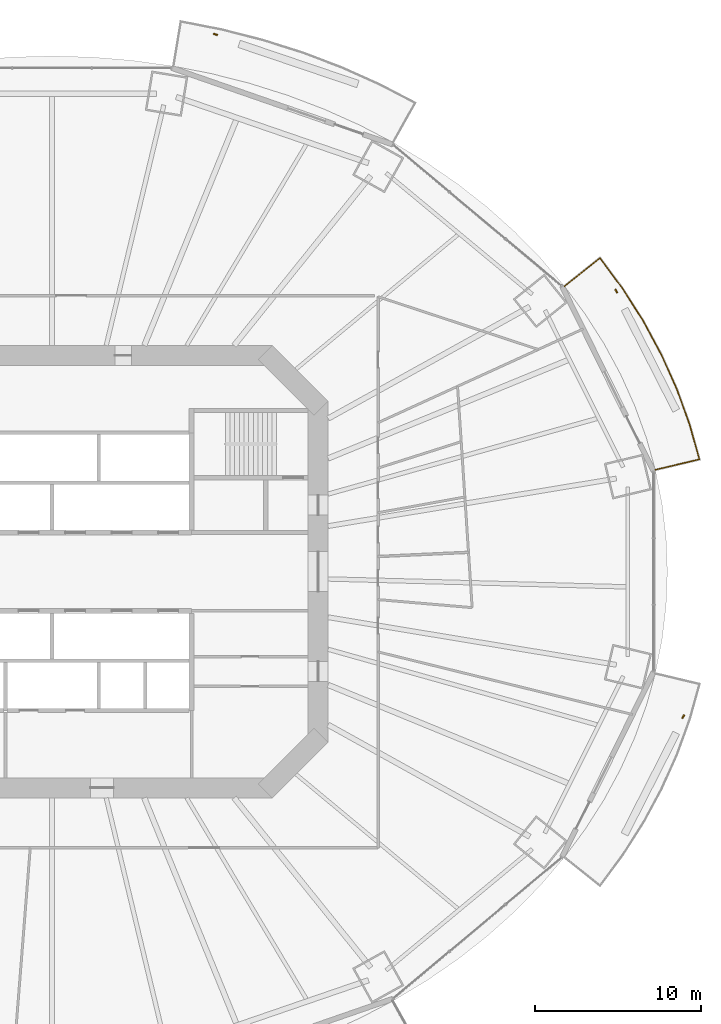
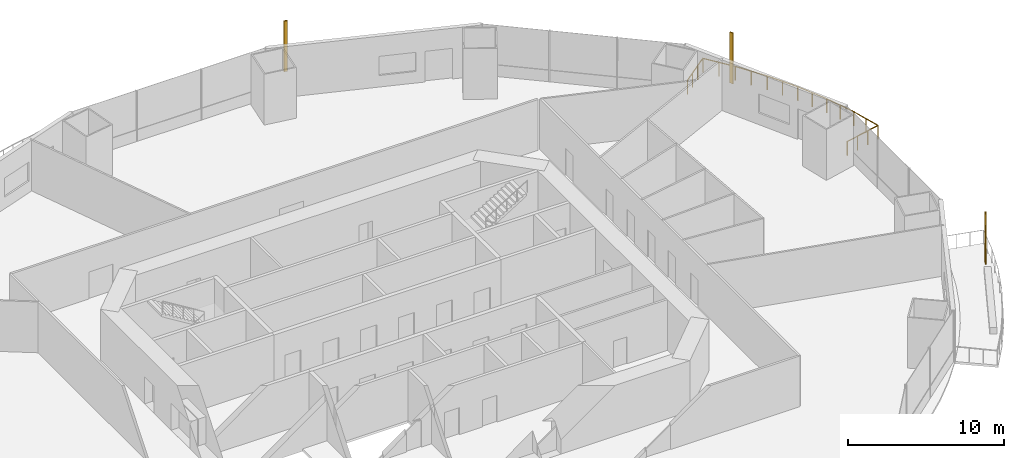
# One storey, part 22 of 23: 3 shading devices, 1 railing.
"""IFC4 building model written with IfcOpenShell, lengths in metres."""

from ifc_helpers import new_model, si_unit, direction, frame, origin, origin_2d, place, context, subcontext, project, spatial, rectangle, circle, extrude, material, material_profile, profile_set, type_object, element, save


model = new_model("IFC4")

# Units and contexts
model_context = context("Model", 3, precision=1e-05, world=origin(), true_north=direction((0.0, 1.0)))
body_context = subcontext(model_context, "Body", "Model", "MODEL_VIEW")
ifc_project = project(units=[si_unit("LENGTHUNIT", "METRE"), si_unit("AREAUNIT", "SQUARE_METRE"), si_unit("VOLUMEUNIT", "CUBIC_METRE"), si_unit("PLANEANGLEUNIT", "RADIAN"), si_unit("MASSUNIT", "GRAM", prefix="KILO")], contexts=[model_context])

# Site, building, storey
site_placement = place(None, origin())
site = spatial("IfcSite", under=ifc_project, at=site_placement, CompositionType="ELEMENT")
building_placement = place(site_placement, origin())
building = spatial("IfcBuilding", under=site, at=building_placement, Name="Marenthal Gate Tower", CompositionType="ELEMENT")
storey_placement = place(building_placement, frame((0.0, 0.0, 37.14990234375)))
storey = spatial("IfcBuildingStorey", under=building, at=storey_placement, Name="L05", CompositionType="ELEMENT", Elevation=37.14990234375)

# Railing
ifc_material_1 = material(Name="Stainless steel", Category="steel")
railing_type = type_object("IfcRailingType", Name="Balcony guard 1100", PredefinedType="GUARDRAIL", material=ifc_material_1)
railing_placement = place(storey_placement, frame((30.814208984375, 17.16015625, 0.0)))
element("IfcRailing", 1, at=railing_placement, inside=storey, type_object=railing_type, Name="Balcony guard L05 bay 1", PredefinedType="GUARDRAIL", context=body_context, shape_type="SweptSolid", body=[
    extrude(circle(Radius=0.02392578125, at=origin_2d()), frame((0.0, 0.0, 1.076171875), z_axis=(0.781983380654, 0.623127580842, -0.014629093429), x_axis=(-0.62319426943, 0.782067070365, 0.0)), (0.0, 0.0, 1.0), 2.72021484375),
    extrude(circle(Radius=0.02392578125, at=origin_2d()), frame((2.127197265625, 1.695068359375, 1.0361328125), z_axis=(0.59494792191, -0.803764250396, 0.0), x_axis=(0.803764250396, 0.59494792191, 0.0)), (0.0, 0.0, 1.0), 2.25537109375),
    extrude(circle(Radius=0.02392578125, at=origin_2d()), frame((3.468994140625, -0.11767578125, 1.0361328125), z_axis=(0.537802777327, -0.843070680726, 0.0), x_axis=(0.843070680726, 0.537802777327, 0.0)), (0.0, 0.0, 1.0), 2.316162109375),
    extrude(circle(Radius=0.02392578125, at=origin_2d()), frame((4.714599609375, -2.0703125, 1.0361328125), z_axis=(0.47570140033, -0.879606831331, 0.0), x_axis=(0.879606831331, 0.47570140033, 0.0)), (0.0, 0.0, 1.0), 2.298828125),
    extrude(circle(Radius=0.02392578125, at=origin_2d()), frame((5.80810546875, -4.09228515625, 1.0361328125), z_axis=(0.40965760042, -0.912239360266, 0.0), x_axis=(0.912239360266, 0.40965760042, 0.0)), (0.0, 0.0, 1.0), 2.283203125),
    extrude(circle(Radius=0.02392578125, at=origin_2d()), frame((6.743408203125, -6.175048828125, 1.0361328125), z_axis=(0.340490278663, -0.940248036497, 0.0), x_axis=(0.940248036497, 0.340490278663, 0.0)), (0.0, 0.0, 1.0), 2.269287109375),
    extrude(circle(Radius=0.02392578125, at=origin_2d()), frame((7.51611328125, -8.308837890625, 1.0361328125), z_axis=(0.269417915844, -0.963023357257, 0.0), x_axis=(0.963023357257, 0.269417915844, 0.0)), (0.0, 0.0, 1.0), 2.178466796875),
    extrude(circle(Radius=0.02392578125, at=origin_2d()), frame((8.10302734375, -10.40673828125, 1.0361328125), z_axis=(-0.972907805034, -0.230730187874, 0.014628168271), x_axis=(0.230754878041, -0.973011914758, 0.0)), (0.0, 0.0, 1.0), 2.720458984375),
    extrude(circle(Radius=0.02099609375, at=origin_2d()), origin(), (0.0, 0.0, 1.0), 1.052001953125),
    extrude(circle(Radius=0.02099609375, at=origin_2d()), frame((0.708984375, 0.56494140625, -0.01318359375)), (0.0, 0.0, 1.0), 1.052001953125),
    extrude(circle(Radius=0.02099609375, at=origin_2d()), frame((1.418212890625, 1.130126953125, -0.026611328125)), (0.0, 0.0, 1.0), 1.052001953125),
    extrude(circle(Radius=0.02099609375, at=origin_2d()), frame((2.127197265625, 1.695068359375, -0.039794921875)), (0.0, 0.0, 1.0), 1.052001953125),
    extrude(circle(Radius=0.02099609375, at=origin_2d()), frame((2.798095703125, 0.78857421875, -0.039794921875)), (0.0, 0.0, 1.0), 1.052001953125),
    extrude(circle(Radius=0.02099609375, at=origin_2d()), frame((3.468994140625, -0.11767578125, -0.039794921875)), (0.0, 0.0, 1.0), 1.052001953125),
    extrude(circle(Radius=0.02099609375, at=origin_2d()), frame((4.091796875, -1.093994140625, -0.039794921875)), (0.0, 0.0, 1.0), 1.052001953125),
    extrude(circle(Radius=0.02099609375, at=origin_2d()), frame((4.714599609375, -2.0703125, -0.039794921875)), (0.0, 0.0, 1.0), 1.052001953125),
    extrude(circle(Radius=0.02099609375, at=origin_2d()), frame((5.26123046875, -3.081298828125, -0.039794921875)), (0.0, 0.0, 1.0), 1.052001953125),
    extrude(circle(Radius=0.02099609375, at=origin_2d()), frame((5.80810546875, -4.09228515625, -0.039794921875)), (0.0, 0.0, 1.0), 1.052001953125),
    extrude(circle(Radius=0.02099609375, at=origin_2d()), frame((6.27587890625, -5.1337890625, -0.039794921875)), (0.0, 0.0, 1.0), 1.052001953125),
    extrude(circle(Radius=0.02099609375, at=origin_2d()), frame((6.743408203125, -6.175048828125, -0.039794921875)), (0.0, 0.0, 1.0), 1.052001953125),
    extrude(circle(Radius=0.02099609375, at=origin_2d()), frame((7.1298828125, -7.241943359375, -0.039794921875)), (0.0, 0.0, 1.0), 1.052001953125),
    extrude(circle(Radius=0.02099609375, at=origin_2d()), frame((7.51611328125, -8.308837890625, -0.039794921875)), (0.0, 0.0, 1.0), 1.052001953125),
    extrude(circle(Radius=0.02099609375, at=origin_2d()), frame((7.8095703125, -9.35791015625, -0.039794921875)), (0.0, 0.0, 1.0), 1.052001953125),
    extrude(circle(Radius=0.02099609375, at=origin_2d()), frame((8.10302734375, -10.40673828125, -0.039794921875)), (0.0, 0.0, 1.0), 1.052001953125),
    extrude(circle(Radius=0.02099609375, at=origin_2d()), frame((7.220703125, -10.615966796875, -0.026611328125)), (0.0, 0.0, 1.0), 1.052001953125),
    extrude(circle(Radius=0.02099609375, at=origin_2d()), frame((6.338623046875, -10.8251953125, -0.01318359375)), (0.0, 0.0, 1.0), 1.052001953125),
    extrude(circle(Radius=0.02099609375, at=origin_2d()), frame((5.456298828125, -11.034423828125, 0.0)), (0.0, 0.0, 1.0), 1.052001953125),
])

# Shading devices
ifc_material_2 = material(Name="Terracotta", Category="masonry")
ifc_material_profile = material_profile(ifc_material_2, rectangle(XDim=0.25, YDim=0.080078125, at=origin_2d()), Name="Terracotta baguette 250x80")
ifc_profile_set = profile_set([ifc_material_profile], Name="Terracotta")
shading_device_type = type_object("IfcShadingDeviceType", Name="Terracotta BAGUETTE SCREEN 250x80", PredefinedType="USERDEFINED", material=ifc_profile_set)
for number, where, z_axis, x_axis, name in (
    (2, (33.922119140625, 16.865234375, -0.039794921875), (0.0, 0.0, 1.0), (-0.443119622411, 0.896462492374, 0.0), "Terracotta BAGUETTE L05 bay 1R"),
    (3, (9.830078125, 32.298095703125, -0.039794921875), (0.0, 0.0, 1.0), (-0.944708230663, 0.327912120725, 0.0), "Terracotta BAGUETTE L05 bay 3R"),
    (4, (37.94921875, -8.7177734375, -0.039794921875), (0.0, 0.0, 1.0), (0.443119622411, 0.896462492374, 0.0), "Terracotta BAGUETTE L05 bay 15R"),
):
    element("IfcShadingDevice", number, at=place(storey_placement, frame(where, z_axis=z_axis, x_axis=x_axis)), inside=storey, type_object=shading_device_type, Name=name, ObjectType="BAGUETTE SCREEN", PredefinedType="USERDEFINED", context=body_context, shape_type="SweptSolid", body=[
        extrude(rectangle(XDim=0.25, YDim=0.080078125, at=origin_2d()), origin(), (0.0, 0.0, 1.0), 3.969970703125),
    ])

save(model, "model.ifc")
